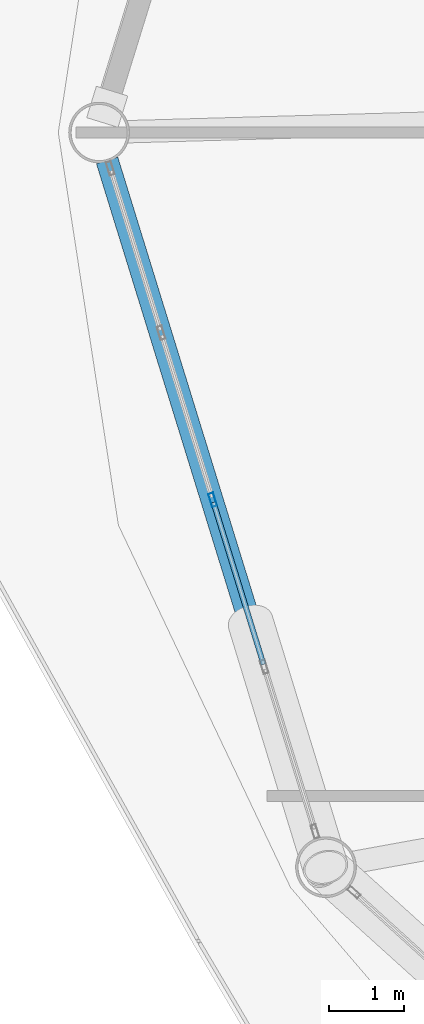
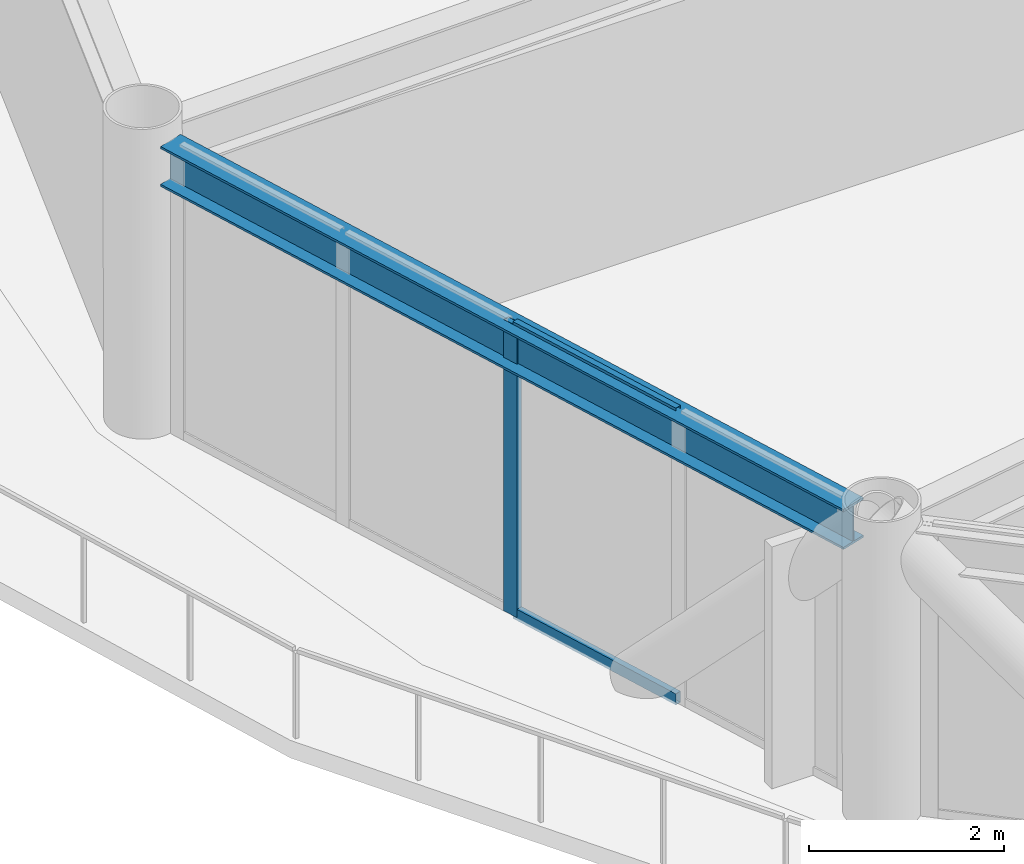
# One storey, part 3 of 23: 3 members, 1 beam, 1 element without a shape of its own.
"""IFC4 building model written with IfcOpenShell, lengths in metres."""

from ifc_helpers import new_model, si_unit, direction, frame, origin, origin_2d, place, context, subcontext, project, spatial, hollow_rectangle, i_section, extrude, material, layer, layer_set, material_profile, profile_set, type_object, element, aggregate, save


model = new_model("IFC4")

# Units and contexts
model_context = context("Model", 3, precision=1e-05, world=origin(), true_north=direction((0.0, 1.0)))
body_context = subcontext(model_context, "Body", "Model", "MODEL_VIEW")
ifc_project = project(units=[si_unit("LENGTHUNIT", "METRE"), si_unit("AREAUNIT", "SQUARE_METRE"), si_unit("VOLUMEUNIT", "CUBIC_METRE"), si_unit("PLANEANGLEUNIT", "RADIAN"), si_unit("MASSUNIT", "GRAM", prefix="KILO")], contexts=[model_context])

# Site, building, storey
site_placement = place(None, origin())
site = spatial("IfcSite", under=ifc_project, at=site_placement, CompositionType="ELEMENT")
building_placement = place(site_placement, origin())
building = spatial("IfcBuilding", under=site, at=building_placement, Name="Varnakorn Sky Granary", CompositionType="ELEMENT")
storey_placement = place(building_placement, frame((0.0, 0.0, 83.699951171875)))
storey = spatial("IfcBuildingStorey", under=building, at=storey_placement, Name="L20", CompositionType="ELEMENT", Elevation=83.699951171875)

# Beam
ifc_material_1 = material(Name="Steel S355JR", Category="steel")
ifc_material_profile_1 = material_profile(ifc_material_1, i_section(OverallWidth=0.300048828125, OverallDepth=0.5, WebThickness=0.014404296875, FlangeThickness=0.028076171875, at=origin_2d()), Name="HE 500 B")
ifc_profile_set_1 = profile_set([ifc_material_profile_1], Name="Steel S355JR")
beam_type = type_object("IfcBeamType", Name="BM-SPD-Z2", PredefinedType="SPANDREL", material=ifc_profile_set_1)
beam_placement = place(storey_placement, frame((-23.234619140625, -0.3740234375, 3.39013671875), z_axis=(0.295100569663, -0.955466197091, 0.0), x_axis=(0.955466197091, 0.295100569663, 0.0)))
element("IfcBeam", 1, at=beam_placement, inside=storey, type_object=beam_type, Name="Perimeter Spandrel Ring Beam RB07 L20", PredefinedType="SPANDREL", context=body_context, shape_type="SweptSolid", body=[
    extrude(i_section(OverallWidth=0.300048828125, OverallDepth=0.5, WebThickness=0.014404296875, FlangeThickness=0.028076171875, at=origin_2d()), origin(), (0.0, 0.0, 1.0), 9.533935546875),
])

# Curtain wall, members
ifc_material_2 = material(Name="Anodised Bronze Aluminium Alloy 6063-T6", Category="aluminium")
ifc_layer = layer(ifc_material_2, 0.18994140625, Name="Anodised Bronze Aluminium Alloy 6063-T6")
ifc_layer_set = layer_set([ifc_layer], Name="Anodised Bronze Aluminium Alloy 6063-T6")
curtain_wall_type = type_object("IfcCurtainWallType", Name="CW-FRM-1", PredefinedType="USERDEFINED", material=ifc_layer_set)
curtain_wall_placement = place(storey_placement, origin())
curtain_wall = element("IfcCurtainWall", 2, at=curtain_wall_placement, inside=storey, type_object=curtain_wall_type, Name="Unitised Curtain Wall CW3 CW-L20-B07", ObjectType="CURTAIN WALL", PredefinedType="USERDEFINED")
ifc_material_profile_2 = material_profile(ifc_material_2, hollow_rectangle(XDim=0.070068359375, YDim=0.18505859375, WallThickness=0.00390625, at=origin_2d()), Name="ALU MULL 70x185")
ifc_profile_set_2 = profile_set([ifc_material_profile_2], Name="Anodised Bronze Aluminium Alloy 6063-T6")
member_type_1 = type_object("IfcMemberType", Name="CW-FRM-1-MULL", PredefinedType="MULLION", material=ifc_profile_set_2)
member_1_placement = place(storey_placement, frame((-21.818603515625, -4.9267578125, 0.0), z_axis=(0.0, 0.0, 1.0), x_axis=(-0.955474912193, -0.295072350738, 0.0)))
member_1 = element("IfcMember", 3, at=member_1_placement, type_object=member_type_1, Name="CW3 mullion 3", PredefinedType="MULLION", context=body_context, shape_type="SweptSolid", body=[
    extrude(hollow_rectangle(XDim=0.070068359375, YDim=0.18505859375, WallThickness=0.00390625, at=origin_2d()), origin(), (0.0, 0.0, 1.0), 3.64013671875),
])
ifc_material_profile_3 = material_profile(ifc_material_2, hollow_rectangle(XDim=0.070068359375, YDim=0.139892578125, WallThickness=0.00341796875, at=origin_2d()), Name="ALU TRAN 70x140")
ifc_profile_set_3 = profile_set([ifc_material_profile_3], Name="Anodised Bronze Aluminium Alloy 6063-T6")
member_type_2 = type_object("IfcMemberType", Name="CW-FRM-1-TRAN", PredefinedType="USERDEFINED", material=ifc_profile_set_3)
member_2_placement = place(storey_placement, frame((-21.136962890625, -7.1337890625, 0.03515625), z_axis=(-0.295028399745, 0.95548848415, 0.0), x_axis=(-0.95548848415, -0.295028399745, 0.0)))
member_2 = element("IfcMember", 4, at=member_2_placement, type_object=member_type_2, Name="CW3 transom 2.1", ObjectType="TRANSOM", PredefinedType="USERDEFINED", context=body_context, shape_type="SweptSolid", body=[
    extrude(hollow_rectangle(XDim=0.070068359375, YDim=0.139892578125, WallThickness=0.00341796875, at=origin_2d()), origin(), (0.0, 0.0, 1.0), 2.27490234375),
])
member_3_placement = place(storey_placement, frame((-21.136962890625, -7.1337890625, 3.60498046875), z_axis=(-0.295028399745, 0.95548848415, 0.0), x_axis=(-0.95548848415, -0.295028399745, 0.0)))
member_3 = element("IfcMember", 5, at=member_3_placement, type_object=member_type_2, Name="CW3 transom 2.2", ObjectType="TRANSOM", PredefinedType="USERDEFINED", context=body_context, shape_type="SweptSolid", body=[
    extrude(hollow_rectangle(XDim=0.070068359375, YDim=0.139892578125, WallThickness=0.00341796875, at=origin_2d()), origin(), (0.0, 0.0, 1.0), 2.27490234375),
])
aggregate(curtain_wall, [member_1, member_2, member_3])

save(model, "model.ifc")
